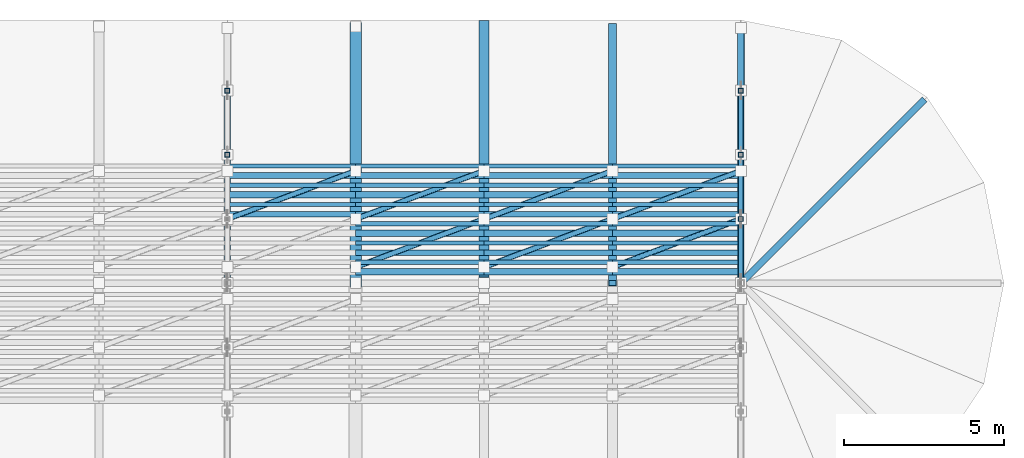
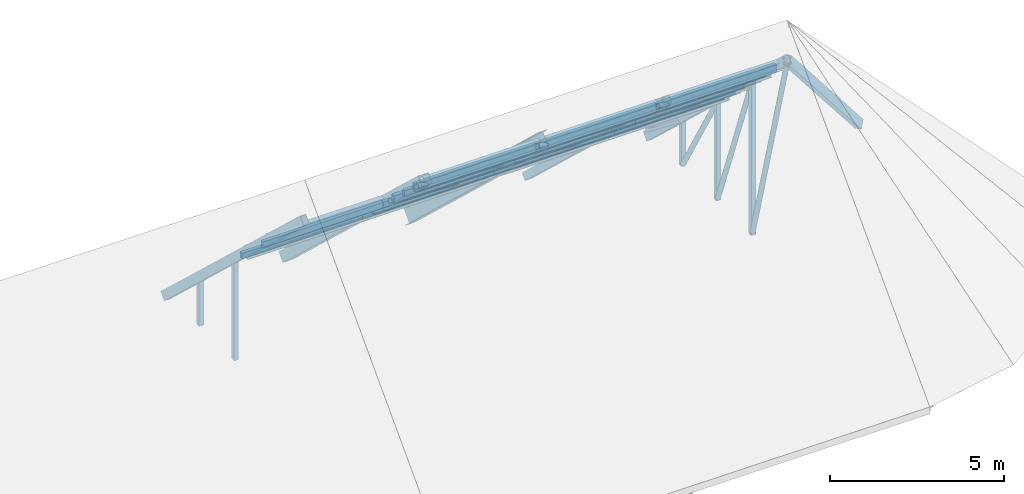
# One storey, part 13 of 18: 64 members.
"""IFC4 building model written with IfcOpenShell, lengths in metres."""

from ifc_helpers import new_model, si_unit, direction, frame, origin, origin_2d, place, context, subcontext, project, spatial, hollow_rectangle, hollow_circle, i_section, extrude, material, material_profile, profile_set, type_object, element, save


model = new_model("IFC4")

# Units and contexts
model_context = context("Model", 3, precision=1e-05, world=origin(), true_north=direction((0.0, 1.0)))
body_context = subcontext(model_context, "Body", "Model", "MODEL_VIEW")
ifc_project = project(units=[si_unit("LENGTHUNIT", "METRE"), si_unit("AREAUNIT", "SQUARE_METRE"), si_unit("VOLUMEUNIT", "CUBIC_METRE"), si_unit("PLANEANGLEUNIT", "RADIAN"), si_unit("MASSUNIT", "GRAM", prefix="KILO")], contexts=[model_context])

# Site, building, storey
site_placement = place(None, origin())
site = spatial("IfcSite", under=ifc_project, at=site_placement, CompositionType="ELEMENT")
building_placement = place(site_placement, origin())
building = spatial("IfcBuilding", under=site, at=building_placement, Name="Serraluz Foothill Cableway Terminal", CompositionType="ELEMENT")
storey_placement = place(building_placement, frame((0.0, 0.0, 24.300048828125)))
storey = spatial("IfcBuildingStorey", under=building, at=storey_placement, Name="RF", CompositionType="ELEMENT", Elevation=24.300048828125)

# Members
ifc_material_1 = material(Name="Steel ASTM A572 Grade 50", Category="steel")
ifc_material_profile_1 = material_profile(ifc_material_1, hollow_circle(Radius=0.084228515625, WallThickness=0.010009765625, at=origin_2d()), Name="CHS168X10")
ifc_profile_set_1 = profile_set([ifc_material_profile_1], Name="Steel ASTM A572 Grade 50")
member_type_1 = type_object("IfcMemberType", Name="TYP-BR-CHS168", PredefinedType="BRACE", material=ifc_profile_set_1)
member_1_placement = place(storey_placement, frame((152.0, 64.01611328125, 2.51220703125), z_axis=(0.0, 0.26797823219, -0.963424967017), x_axis=(-1.0, 0.0, 0.0)))
element("IfcMember", 1, at=member_1_placement, inside=storey, type_object=member_type_1, Name="ROOF TRUSS TR-08 Diagonal 5", PredefinedType="BRACE", context=body_context, shape_type="SweptSolid", body=[
    extrude(hollow_circle(Radius=0.084228515625, WallThickness=0.010009765625, at=origin_2d()), origin(), (0.0, 0.0, 1.0), 7.343017578125),
])
member_2_placement = place(storey_placement, frame((152.0, 66.02099609375, 0.638671875), z_axis=(0.0, 0.352230195063, -0.935913398604), x_axis=(-1.0, 0.0, 0.0)))
element("IfcMember", 2, at=member_2_placement, inside=storey, type_object=member_type_1, Name="ROOF TRUSS TR-08 Diagonal 6", PredefinedType="BRACE", context=body_context, shape_type="SweptSolid", body=[
    extrude(hollow_circle(Radius=0.084228515625, WallThickness=0.010009765625, at=origin_2d()), origin(), (0.0, 0.0, 1.0), 5.558837890625),
])
member_3_placement = place(storey_placement, frame((152.0, 68.0302734375, -1.23193359375), z_axis=(0.0, 0.502584169831, -0.864528283074), x_axis=(-1.0, 0.0, 0.0)))
element("IfcMember", 3, at=member_3_placement, inside=storey, type_object=member_type_1, Name="ROOF TRUSS TR-08 Diagonal 7", PredefinedType="BRACE", context=body_context, shape_type="SweptSolid", body=[
    extrude(hollow_circle(Radius=0.084228515625, WallThickness=0.010009765625, at=origin_2d()), origin(), (0.0, 0.0, 1.0), 3.85888671875),
])
for number, where, z_axis, x_axis, name in (
    (4, (136.0, 66.0, 0.764892578125), (0.889382269185, 0.333518350944, -0.31267345401), (-0.351123441588, 0.936329177569, 0.0), "Roof Lateral Wind Brace 0700"),
    (5, (140.0, 64.5, 2.171142578125), (0.889382269185, 0.333518350944, -0.31267345401), (-0.351123441588, 0.936329177569, 0.0), "Roof Lateral Wind Brace 0727"),
    (6, (140.0, 66.0, 0.764892578125), (0.889382269185, 0.333518350944, -0.31267345401), (-0.351123441588, 0.936329177569, 0.0), "Roof Lateral Wind Brace 0728"),
    (7, (144.0, 64.5, 2.171142578125), (0.889382269185, 0.333518350944, -0.31267345401), (-0.351123441588, 0.936329177569, 0.0), "Roof Lateral Wind Brace 0755"),
    (8, (144.0, 66.0, 0.764892578125), (0.889382269185, 0.333518350944, -0.31267345401), (-0.351123441588, 0.936329177569, 0.0), "Roof Lateral Wind Brace 0756"),
    (9, (148.0, 64.5, 2.171142578125), (0.889382269185, 0.333518350944, -0.31267345401), (-0.351123441588, 0.936329177569, 0.0), "Roof Lateral Wind Brace 0783"),
    (10, (148.0, 66.0, 0.764892578125), (0.889382269185, 0.333518350944, -0.31267345401), (-0.351123441588, 0.936329177569, 0.0), "Roof Lateral Wind Brace 0784"),
):
    element("IfcMember", number, at=place(storey_placement, frame(where, z_axis=z_axis, x_axis=x_axis)), inside=storey, type_object=member_type_1, Name=name, PredefinedType="BRACE", context=body_context, shape_type="SweptSolid", body=[
        extrude(hollow_circle(Radius=0.084228515625, WallThickness=0.010009765625, at=origin_2d()), origin(), (0.0, 0.0, 1.0), 4.49755859375),
    ])
ifc_material_profile_2 = material_profile(ifc_material_1, hollow_circle(Radius=0.109619140625, WallThickness=0.011962890625, at=origin_2d()), Name="CHS219X12")
ifc_profile_set_2 = profile_set([ifc_material_profile_2], Name="Steel ASTM A572 Grade 50")
member_type_2 = type_object("IfcMemberType", Name="TYP-BR-CHS219", PredefinedType="BRACE", material=ifc_profile_set_2)
member_4_placement = place(storey_placement, frame((152.0, 70.04736328125, -3.092041015625), z_axis=(0.0, 0.787528424659, -0.616278330265), x_axis=(-1.0, 0.0, 0.0)))
element("IfcMember", 11, at=member_4_placement, inside=storey, type_object=member_type_2, Name="ROOF TRUSS TR-08 Diagonal 8", PredefinedType="BRACE", context=body_context, shape_type="SweptSolid", body=[
    extrude(hollow_circle(Radius=0.109619140625, WallThickness=0.011962890625, at=origin_2d()), origin(), (0.0, 0.0, 1.0), 2.419189453125),
])
ifc_material_profile_3 = material_profile(ifc_material_1, hollow_rectangle(XDim=0.14990234375, YDim=0.14990234375, WallThickness=0.010009765625, at=origin_2d()), Name="HSS150X150X10")
ifc_profile_set_3 = profile_set([ifc_material_profile_3], Name="Steel ASTM A572 Grade 50")
member_type_3 = type_object("IfcMemberType", Name="TYP-BR-HSS150", PredefinedType="BRACE", material=ifc_profile_set_3)
member_5_placement = place(storey_placement, frame((136.0, 68.0, -4.610107421875), z_axis=(0.0, 0.0, 1.0), x_axis=(1.0, 0.0, 0.0)))
element("IfcMember", 12, at=member_5_placement, inside=storey, type_object=member_type_3, Name="ROOF TRUSS TR-07 Web Post 6", PredefinedType="BRACE", context=body_context, shape_type="SweptSolid", body=[
    extrude(hollow_rectangle(XDim=0.14990234375, YDim=0.14990234375, WallThickness=0.010009765625, at=origin_2d()), origin(), (0.0, 0.0, 1.0), 3.420166015625),
])
member_6_placement = place(storey_placement, frame((136.0, 70.0, -4.610107421875), z_axis=(0.0, 0.0, 1.0), x_axis=(1.0, 0.0, 0.0)))
element("IfcMember", 13, at=member_6_placement, inside=storey, type_object=member_type_3, Name="ROOF TRUSS TR-07 Web Post 7", PredefinedType="BRACE", context=body_context, shape_type="SweptSolid", body=[
    extrude(hollow_rectangle(XDim=0.14990234375, YDim=0.14990234375, WallThickness=0.010009765625, at=origin_2d()), origin(), (0.0, 0.0, 1.0), 1.545166015625),
])
member_7_placement = place(storey_placement, frame((152.0, 66.0, -4.610107421875), z_axis=(0.0, 0.0, 1.0), x_axis=(1.0, 0.0, 0.0)))
element("IfcMember", 14, at=member_7_placement, inside=storey, type_object=member_type_3, Name="ROOF TRUSS TR-08 Web Post 5", PredefinedType="BRACE", context=body_context, shape_type="SweptSolid", body=[
    extrude(hollow_rectangle(XDim=0.14990234375, YDim=0.14990234375, WallThickness=0.010009765625, at=origin_2d()), origin(), (0.0, 0.0, 1.0), 5.295166015625),
])
member_8_placement = place(storey_placement, frame((152.0, 68.0, -4.610107421875), z_axis=(0.0, 0.0, 1.0), x_axis=(1.0, 0.0, 0.0)))
element("IfcMember", 15, at=member_8_placement, inside=storey, type_object=member_type_3, Name="ROOF TRUSS TR-08 Web Post 6", PredefinedType="BRACE", context=body_context, shape_type="SweptSolid", body=[
    extrude(hollow_rectangle(XDim=0.14990234375, YDim=0.14990234375, WallThickness=0.010009765625, at=origin_2d()), origin(), (0.0, 0.0, 1.0), 3.420166015625),
])
member_9_placement = place(storey_placement, frame((152.0, 70.0, -4.610107421875), z_axis=(0.0, 0.0, 1.0), x_axis=(1.0, 0.0, 0.0)))
element("IfcMember", 16, at=member_9_placement, inside=storey, type_object=member_type_3, Name="ROOF TRUSS TR-08 Web Post 7", PredefinedType="BRACE", context=body_context, shape_type="SweptSolid", body=[
    extrude(hollow_rectangle(XDim=0.14990234375, YDim=0.14990234375, WallThickness=0.010009765625, at=origin_2d()), origin(), (0.0, 0.0, 1.0), 1.545166015625),
])
ifc_material_profile_4 = material_profile(ifc_material_1, hollow_rectangle(XDim=0.25, YDim=0.25, WallThickness=0.011962890625, at=origin_2d()), Name="HSS250X250X12")
ifc_profile_set_4 = profile_set([ifc_material_profile_4], Name="Steel ASTM A572 Grade 50")
member_type_4 = type_object("IfcMemberType", Name="TYP-CH-HSS250", PredefinedType="CHORD", material=ifc_profile_set_4)
member_10_placement = place(storey_placement, frame((148.0, 72.0, -4.800048828125), z_axis=(0.0, -0.72953720414, 0.683941128881), x_axis=(1.0, 0.0, 0.0)))
element("IfcMember", 17, at=member_10_placement, inside=storey, type_object=member_type_4, Name="Secondary Roof Rafter 0042", PredefinedType="CHORD", context=body_context, shape_type="SweptSolid", body=[
    extrude(hollow_rectangle(XDim=0.25, YDim=0.25, WallThickness=0.011962890625, at=origin_2d()), origin(), (0.0, 0.0, 1.0), 10.9658203125),
])
ifc_material_profile_5 = material_profile(ifc_material_1, hollow_rectangle(XDim=0.199951171875, YDim=0.300048828125, WallThickness=0.011962890625, at=origin_2d()), Name="HSS300X200X12")
ifc_profile_set_5 = profile_set([ifc_material_profile_5], Name="Steel ASTM A572 Grade 50")
member_type_5 = type_object("IfcMemberType", Name="TYP-CH-HSS300X200", PredefinedType="CHORD", material=ifc_profile_set_5)
for number, where, z_axis, x_axis, name in (
    (18, (136.0, 72.0, -4.800048828125), (0.0, -0.72953720414, 0.683941128881), (1.0, 0.0, 0.0), "ROOF TRUSS TR-07 Top Chord 2"),
    (19, (152.0, 72.0, -4.800048828125), (0.0, -0.72953720414, 0.683941128881), (1.0, 0.0, 0.0), "ROOF TRUSS TR-08 Top Chord 2"),
):
    element("IfcMember", number, at=place(storey_placement, frame(where, z_axis=z_axis, x_axis=x_axis)), inside=storey, type_object=member_type_5, Name=name, PredefinedType="CHORD", context=body_context, shape_type="SweptSolid", body=[
        extrude(hollow_rectangle(XDim=0.199951171875, YDim=0.300048828125, WallThickness=0.011962890625, at=origin_2d()), origin(), (0.0, 0.0, 1.0), 10.9658203125),
    ])
member_11_placement = place(storey_placement, frame((157.656982421875, 69.656982421875, -4.949951171875), z_axis=(-0.511062967446, -0.511062967446, 0.691107290231), x_axis=(0.707106781187, -0.707106781187, 0.0)))
element("IfcMember", 20, at=member_11_placement, inside=storey, type_object=member_type_5, Name="Rounded Apse Roof Hip Rafter E-3", PredefinedType="CHORD", context=body_context, shape_type="SweptSolid", body=[
    extrude(hollow_rectangle(XDim=0.199951171875, YDim=0.300048828125, WallThickness=0.011962890625, at=origin_2d()), origin(), (0.0, 0.0, 1.0), 11.069091796875),
])
ifc_material_2 = material(Name="Steel ASTM A992 Grade 50", Category="steel")
ifc_material_profile_6 = material_profile(ifc_material_2, i_section(OverallWidth=0.31201171875, OverallDepth=0.54296875, WebThickness=0.0126953125, FlangeThickness=0.020263671875, FilletRadius=0.01611328125, at=origin_2d()), Name="W21X101")
ifc_profile_set_6 = profile_set([ifc_material_profile_6], Name="Steel ASTM A992 Grade 50")
member_type_6 = type_object("IfcMemberType", Name="TYP-CH-W21X101", PredefinedType="CHORD", material=ifc_profile_set_6)
member_12_placement = place(storey_placement, frame((144.0, 72.0, -4.800048828125), z_axis=(0.0, -0.72953720414, 0.683941128881), x_axis=(1.0, 0.0, 0.0)))
element("IfcMember", 21, at=member_12_placement, inside=storey, type_object=member_type_6, Name="Secondary Roof Rafter 0040", PredefinedType="CHORD", context=body_context, shape_type="SweptSolid", body=[
    extrude(i_section(OverallWidth=0.31201171875, OverallDepth=0.54296875, WebThickness=0.0126953125, FlangeThickness=0.020263671875, FilletRadius=0.01611328125, at=origin_2d()), origin(), (0.0, 0.0, 1.0), 10.9658203125),
])
ifc_material_profile_7 = material_profile(ifc_material_1, hollow_rectangle(XDim=0.1201171875, YDim=0.199951171875, WallThickness=0.008056640625, at=origin_2d()), Name="HSS200X120X8")
ifc_profile_set_7 = profile_set([ifc_material_profile_7], Name="Steel ASTM A572 Grade 50")
member_type_7 = type_object("IfcMemberType", Name="TYP-PR-HSS200X120", PredefinedType="PURLIN", material=ifc_profile_set_7)
for number, where, z_axis, x_axis, name in (
    (22, (136.0, 66.449951171875, 0.363037109375), (1.0, 0.0, 0.0), (0.0, 1.0, 0.0), "Secondary Roof Purlin 0692"),
    (23, (136.0, 67.64990234375, -0.761962890625), (1.0, 0.0, 0.0), (0.0, 1.0, 0.0), "Secondary Roof Purlin 0696"),
    (24, (140.0, 65.25, 1.488037109375), (1.0, 0.0, 0.0), (0.0, 1.0, 0.0), "Secondary Roof Purlin 0716"),
    (25, (140.0, 66.449951171875, 0.363037109375), (1.0, 0.0, 0.0), (0.0, 1.0, 0.0), "Secondary Roof Purlin 0720"),
    (26, (140.0, 67.64990234375, -0.761962890625), (1.0, 0.0, 0.0), (0.0, 1.0, 0.0), "Secondary Roof Purlin 0724"),
    (27, (144.0, 65.25, 1.488037109375), (1.0, 0.0, 0.0), (0.0, 1.0, 0.0), "Secondary Roof Purlin 0744"),
    (28, (144.0, 66.449951171875, 0.363037109375), (1.0, 0.0, 0.0), (0.0, 1.0, 0.0), "Secondary Roof Purlin 0748"),
    (29, (144.0, 67.64990234375, -0.761962890625), (1.0, 0.0, 0.0), (0.0, 1.0, 0.0), "Secondary Roof Purlin 0752"),
    (30, (148.0, 65.25, 1.488037109375), (1.0, 0.0, 0.0), (0.0, 1.0, 0.0), "Secondary Roof Purlin 0772"),
    (31, (148.0, 66.449951171875, 0.363037109375), (1.0, 0.0, 0.0), (0.0, 1.0, 0.0), "Secondary Roof Purlin 0776"),
    (32, (148.0, 67.64990234375, -0.761962890625), (1.0, 0.0, 0.0), (0.0, 1.0, 0.0), "Secondary Roof Purlin 0780"),
):
    element("IfcMember", number, at=place(storey_placement, frame(where, z_axis=z_axis, x_axis=x_axis)), inside=storey, type_object=member_type_7, Name=name, PredefinedType="PURLIN", context=body_context, shape_type="SweptSolid", body=[
        extrude(hollow_rectangle(XDim=0.1201171875, YDim=0.199951171875, WallThickness=0.008056640625, at=origin_2d()), origin(), (0.0, 0.0, 1.0), 4.0),
    ])
ifc_material_profile_8 = material_profile(ifc_material_1, hollow_rectangle(XDim=0.14990234375, YDim=0.25, WallThickness=0.010009765625, at=origin_2d()), Name="HSS250X150X10")
ifc_profile_set_8 = profile_set([ifc_material_profile_8], Name="Steel ASTM A572 Grade 50")
member_type_8 = type_object("IfcMemberType", Name="TYP-PR-HSS250X150", PredefinedType="PURLIN", material=ifc_profile_set_8)
for number, where, z_axis, x_axis, name in (
    (33, (136.0, 67.050048828125, -0.199462890625), (1.0, 0.0, 0.0), (0.0, 1.0, 0.0), "Secondary Roof Purlin 0694"),
    (34, (140.0, 64.64990234375, 2.050537109375), (1.0, 0.0, 0.0), (0.0, 1.0, 0.0), "Secondary Roof Purlin 0714"),
    (35, (140.0, 65.85009765625, 0.925537109375), (1.0, 0.0, 0.0), (0.0, 1.0, 0.0), "Secondary Roof Purlin 0718"),
    (36, (140.0, 67.050048828125, -0.199462890625), (1.0, 0.0, 0.0), (0.0, 1.0, 0.0), "Secondary Roof Purlin 0722"),
    (37, (144.0, 64.64990234375, 2.050537109375), (1.0, 0.0, 0.0), (0.0, 1.0, 0.0), "Secondary Roof Purlin 0742"),
    (38, (144.0, 65.85009765625, 0.925537109375), (1.0, 0.0, 0.0), (0.0, 1.0, 0.0), "Secondary Roof Purlin 0746"),
    (39, (144.0, 67.050048828125, -0.199462890625), (1.0, 0.0, 0.0), (0.0, 1.0, 0.0), "Secondary Roof Purlin 0750"),
    (40, (148.0, 64.64990234375, 2.050537109375), (1.0, 0.0, 0.0), (0.0, 1.0, 0.0), "Secondary Roof Purlin 0770"),
    (41, (148.0, 65.85009765625, 0.925537109375), (1.0, 0.0, 0.0), (0.0, 1.0, 0.0), "Secondary Roof Purlin 0774"),
    (42, (148.0, 67.050048828125, -0.199462890625), (1.0, 0.0, 0.0), (0.0, 1.0, 0.0), "Secondary Roof Purlin 0778"),
):
    element("IfcMember", number, at=place(storey_placement, frame(where, z_axis=z_axis, x_axis=x_axis)), inside=storey, type_object=member_type_8, Name=name, PredefinedType="PURLIN", context=body_context, shape_type="SweptSolid", body=[
        extrude(hollow_rectangle(XDim=0.14990234375, YDim=0.25, WallThickness=0.010009765625, at=origin_2d()), origin(), (0.0, 0.0, 1.0), 4.0),
    ])
ifc_material_profile_9 = material_profile(ifc_material_2, i_section(OverallWidth=0.205078125, OverallDepth=0.31005859375, WebThickness=0.009521484375, FlangeThickness=0.016357421875, FilletRadius=0.012939453125, at=origin_2d()), Name="W12X50")
ifc_profile_set_9 = profile_set([ifc_material_profile_9], Name="Steel ASTM A992 Grade 50")
member_type_9 = type_object("IfcMemberType", Name="TYP-PR-W12X50", PredefinedType="PURLIN", material=ifc_profile_set_9)
for number, where, z_axis, x_axis, name in (
    (43, (136.0, 66.75, 0.081787109375), (1.0, 0.0, 0.0), (0.0, 1.0, 0.0), "Secondary Roof Purlin 0693"),
    (44, (140.0, 64.35009765625, 2.331787109375), (1.0, 0.0, 0.0), (0.0, 1.0, 0.0), "Secondary Roof Purlin 0713"),
    (45, (140.0, 65.550048828125, 1.206787109375), (1.0, 0.0, 0.0), (0.0, 1.0, 0.0), "Secondary Roof Purlin 0717"),
    (46, (140.0, 66.75, 0.081787109375), (1.0, 0.0, 0.0), (0.0, 1.0, 0.0), "Secondary Roof Purlin 0721"),
    (47, (144.0, 64.35009765625, 2.331787109375), (1.0, 0.0, 0.0), (0.0, 1.0, 0.0), "Secondary Roof Purlin 0741"),
    (48, (144.0, 65.550048828125, 1.206787109375), (1.0, 0.0, 0.0), (0.0, 1.0, 0.0), "Secondary Roof Purlin 0745"),
    (49, (144.0, 66.75, 0.081787109375), (1.0, 0.0, 0.0), (0.0, 1.0, 0.0), "Secondary Roof Purlin 0749"),
    (50, (148.0, 64.35009765625, 2.331787109375), (1.0, 0.0, 0.0), (0.0, 1.0, 0.0), "Secondary Roof Purlin 0769"),
    (51, (148.0, 65.550048828125, 1.206787109375), (1.0, 0.0, 0.0), (0.0, 1.0, 0.0), "Secondary Roof Purlin 0773"),
    (52, (148.0, 66.75, 0.081787109375), (1.0, 0.0, 0.0), (0.0, 1.0, 0.0), "Secondary Roof Purlin 0777"),
):
    element("IfcMember", number, at=place(storey_placement, frame(where, z_axis=z_axis, x_axis=x_axis)), inside=storey, type_object=member_type_9, Name=name, PredefinedType="PURLIN", context=body_context, shape_type="SweptSolid", body=[
        extrude(i_section(OverallWidth=0.205078125, OverallDepth=0.31005859375, WebThickness=0.009521484375, FlangeThickness=0.016357421875, FilletRadius=0.012939453125, at=origin_2d()), origin(), (0.0, 0.0, 1.0), 4.0),
    ])
ifc_material_profile_10 = material_profile(ifc_material_2, i_section(OverallWidth=0.180908203125, OverallDepth=0.4169921875, WebThickness=0.010986328125, FlangeThickness=0.018310546875, FilletRadius=0.013916015625, at=origin_2d()), Name="W16X57")
ifc_profile_set_10 = profile_set([ifc_material_profile_10], Name="Steel ASTM A992 Grade 50")
member_type_10 = type_object("IfcMemberType", Name="TYP-PR-W16X57", PredefinedType="PURLIN", material=ifc_profile_set_10)
for number, where, z_axis, x_axis, name in (
    (53, (136.0, 66.14990234375, 0.644287109375), (1.0, 0.0, 0.0), (0.0, 1.0, 0.0), "Secondary Roof Purlin 0691"),
    (54, (136.0, 67.35009765625, -0.480712890625), (1.0, 0.0, 0.0), (0.0, 1.0, 0.0), "Secondary Roof Purlin 0695"),
    (55, (140.0, 64.949951171875, 1.769287109375), (1.0, 0.0, 0.0), (0.0, 1.0, 0.0), "Secondary Roof Purlin 0715"),
    (56, (140.0, 66.14990234375, 0.644287109375), (1.0, 0.0, 0.0), (0.0, 1.0, 0.0), "Secondary Roof Purlin 0719"),
    (57, (140.0, 67.35009765625, -0.480712890625), (1.0, 0.0, 0.0), (0.0, 1.0, 0.0), "Secondary Roof Purlin 0723"),
    (58, (144.0, 64.949951171875, 1.769287109375), (1.0, 0.0, 0.0), (0.0, 1.0, 0.0), "Secondary Roof Purlin 0743"),
    (59, (144.0, 66.14990234375, 0.644287109375), (1.0, 0.0, 0.0), (0.0, 1.0, 0.0), "Secondary Roof Purlin 0747"),
    (60, (144.0, 67.35009765625, -0.480712890625), (1.0, 0.0, 0.0), (0.0, 1.0, 0.0), "Secondary Roof Purlin 0751"),
    (61, (148.0, 64.949951171875, 1.769287109375), (1.0, 0.0, 0.0), (0.0, 1.0, 0.0), "Secondary Roof Purlin 0771"),
    (62, (148.0, 66.14990234375, 0.644287109375), (1.0, 0.0, 0.0), (0.0, 1.0, 0.0), "Secondary Roof Purlin 0775"),
    (63, (148.0, 67.35009765625, -0.480712890625), (1.0, 0.0, 0.0), (0.0, 1.0, 0.0), "Secondary Roof Purlin 0779"),
):
    element("IfcMember", number, at=place(storey_placement, frame(where, z_axis=z_axis, x_axis=x_axis)), inside=storey, type_object=member_type_10, Name=name, PredefinedType="PURLIN", context=body_context, shape_type="SweptSolid", body=[
        extrude(i_section(OverallWidth=0.180908203125, OverallDepth=0.4169921875, WebThickness=0.010986328125, FlangeThickness=0.018310546875, FilletRadius=0.013916015625, at=origin_2d()), origin(), (0.0, 0.0, 1.0), 4.0),
    ])
ifc_material_profile_11 = material_profile(ifc_material_1, hollow_rectangle(XDim=0.35009765625, YDim=0.35009765625, WallThickness=0.01611328125, at=origin_2d()), Name="HSS350X350X16")
ifc_profile_set_11 = profile_set([ifc_material_profile_11], Name="Steel ASTM A572 Grade 50")
member_type_11 = type_object("IfcMemberType", Name="TYP-ST-HSS350", PredefinedType="STRUT", material=ifc_profile_set_11)
member_13_placement = place(storey_placement, frame((140.0, 72.0, -4.800048828125), z_axis=(0.0, -0.72953720414, 0.683941128881), x_axis=(1.0, 0.0, 0.0)))
element("IfcMember", 64, at=member_13_placement, inside=storey, type_object=member_type_11, Name="Secondary Roof Rafter 0038", PredefinedType="STRUT", context=body_context, shape_type="SweptSolid", body=[
    extrude(hollow_rectangle(XDim=0.35009765625, YDim=0.35009765625, WallThickness=0.01611328125, at=origin_2d()), origin(), (0.0, 0.0, 1.0), 10.9658203125),
])

save(model, "model.ifc")
